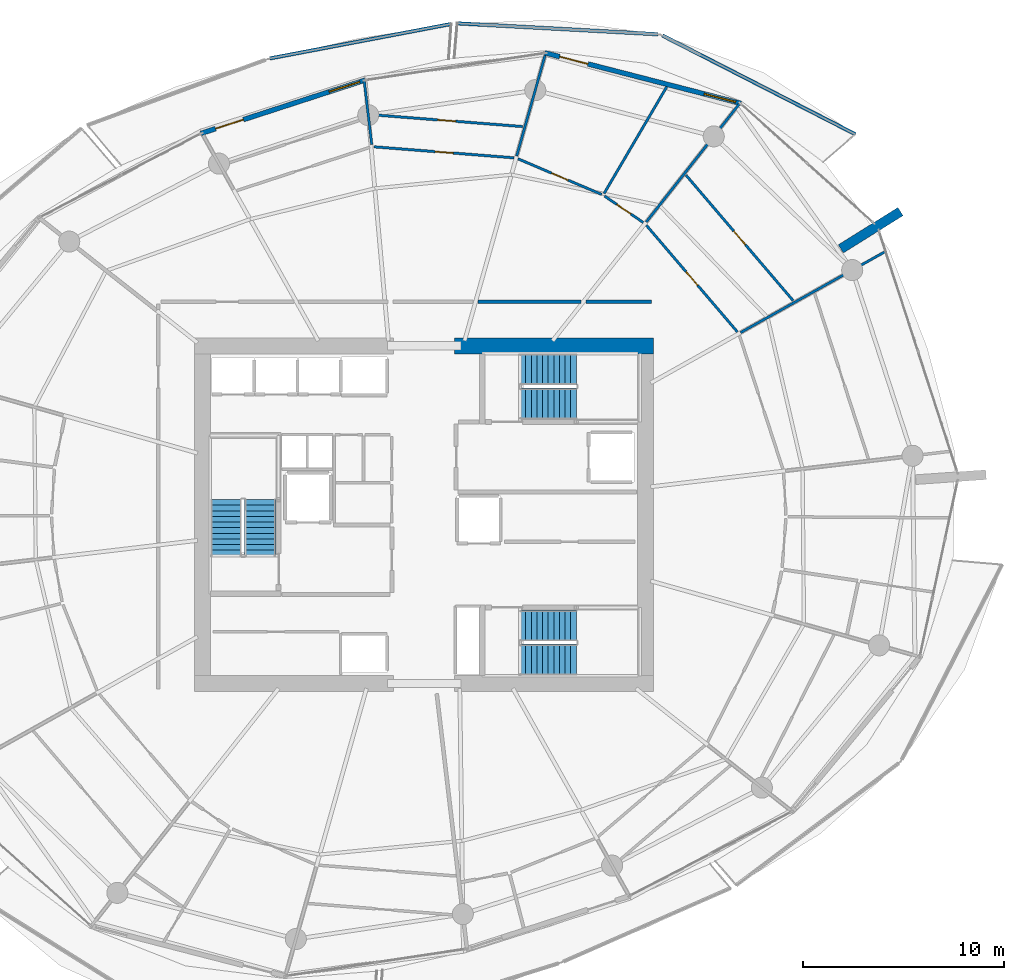
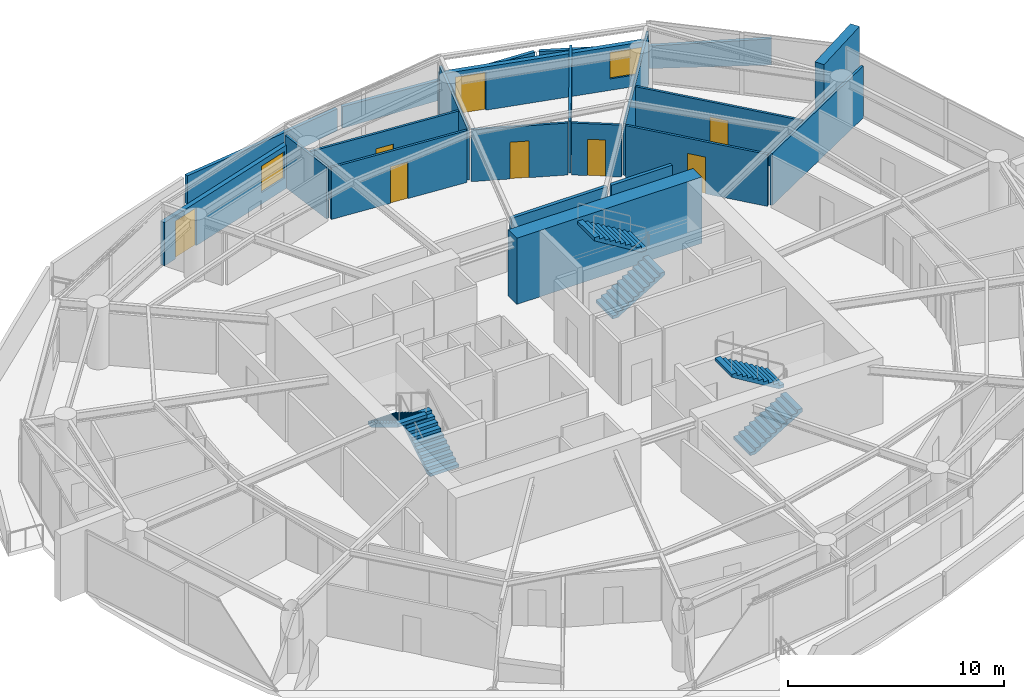
# One storey, part 15 of 20: 20 walls, 8 doors, 6 stair flights, 2 windows, 10 openings, 3 elements without a shape of their own.
"""IFC4 building model written with IfcOpenShell, lengths in metres."""

from ifc_helpers import new_model, si_unit, direction, frame, frame_2d, origin, place, context, subcontext, project, spatial, polyline, rectangle, outline, extrude, material, layer, layer_set, type_object, element, fill, aggregate, save


model = new_model("IFC4")

# Units and contexts
model_context = context("Model", 3, precision=1e-05, world=origin(), true_north=direction((0.0, 1.0)))
body_context = subcontext(model_context, "Body", "Model", "MODEL_VIEW")
ifc_project = project(units=[si_unit("LENGTHUNIT", "METRE"), si_unit("AREAUNIT", "SQUARE_METRE"), si_unit("VOLUMEUNIT", "CUBIC_METRE"), si_unit("PLANEANGLEUNIT", "RADIAN"), si_unit("MASSUNIT", "GRAM", prefix="KILO")], contexts=[model_context])

# Site, building, storey
site_placement = place(None, origin())
site = spatial("IfcSite", under=ifc_project, at=site_placement, CompositionType="ELEMENT")
building_placement = place(site_placement, origin())
building = spatial("IfcBuilding", under=site, at=building_placement, Name="Kazma Halo Residences", CompositionType="ELEMENT")
storey_placement = place(building_placement, frame((0.0, 0.0, 146.550048828125)))
storey = spatial("IfcBuildingStorey", under=building, at=storey_placement, Name="L36", CompositionType="ELEMENT", Elevation=146.550048828125)

# Walls
ifc_material_1 = material(Name="White Concrete C50/60 Balustrade", Category="concrete")
ifc_layer_1 = layer(ifc_material_1, 0.179931640625)
ifc_layer_set_1 = layer_set([ifc_layer_1], Name="White Concrete C50/60 Balustrade")
wall_type_1 = type_object("IfcWallType", Name="WL-BAL-WAVE-180", PredefinedType="PARAPET", material=ifc_layer_set_1)
wall_1_placement = place(storey_placement, frame((69.8896484375, 60.927978515625, 0.0), z_axis=(0.0, 0.0, 1.0), x_axis=(-0.890197806796, 0.455574214345, 0.0)))
element("IfcWall", 1, at=wall_1_placement, inside=storey, type_object=wall_type_1, Name="L36 white wave balustrade wall NE.1", PredefinedType="PARAPET", context=body_context, shape_type="SweptSolid", body=[
    extrude(outline(polyline([(0.0, 0.0), (10.790771484375, 0.0), (10.790771484375, 1.14794921875), (5.395263671875, 1.283935546875), (0.0, 1.48291015625), (0.0, 0.0)])), frame((0.0, 0.08984375, 0.0), z_axis=(0.0, -1.0, 0.0), x_axis=(1.0, 0.0, 0.0)), (0.0, 0.0, 1.0), 0.179931640625),
])
wall_2_placement = place(storey_placement, frame((60.05712890625, 65.9052734375, 0.0), z_axis=(0.0, 0.0, 1.0), x_axis=(-0.998521425171, 0.05435957574, 0.0)))
element("IfcWall", 2, at=wall_2_placement, inside=storey, type_object=wall_type_1, Name="L36 white wave balustrade wall NE.2", PredefinedType="PARAPET", context=body_context, shape_type="SweptSolid", body=[
    extrude(outline(polyline([(0.0, 0.0), (9.99755859375, 0.0), (9.99755859375, 1.223876953125), (4.998779296875, 1.126953125), (0.0, 1.14794921875), (0.0, 0.0)])), frame((0.0, 0.08984375, 0.0), z_axis=(0.0, -1.0, 0.0), x_axis=(1.0, 0.0, 0.0)), (0.0, 0.0, 1.0), 0.179931640625),
])
wall_3_placement = place(storey_placement, frame((49.771728515625, 66.417236328125, 0.0), z_axis=(0.0, 0.0, 1.0), x_axis=(-0.982405045707, -0.186762753697, 0.0)))
element("IfcWall", 3, at=wall_3_placement, inside=storey, type_object=wall_type_1, Name="L36 white wave balustrade wall NNW.1", PredefinedType="PARAPET", context=body_context, shape_type="SweptSolid", body=[
    extrude(outline(polyline([(0.0, 0.0), (9.1845703125, 0.0), (9.184326171875, 1.6318359375), (4.59228515625, 1.41796875), (0.0, 1.23291015625), (0.0, 0.0)])), frame((0.0, 0.08984375, 0.0), z_axis=(0.0, -1.0, 0.0), x_axis=(1.0, 0.0, 0.0)), (0.0, 0.0, 1.0), 0.179931640625),
])
ifc_material_2 = material(Name="Pale Concrete C60/75", Category="concrete")
ifc_layer_2 = layer(ifc_material_2, 0.47998046875)
ifc_layer_set_2 = layer_set([ifc_layer_2], Name="Pale Concrete C60/75")
wall_type_2 = type_object("IfcWallType", Name="WL-BLADE-480", PredefinedType="SOLIDWALL", material=ifc_layer_set_2)
wall_4_placement = place(storey_placement, frame((69.165283203125, 55.2255859375, 0.0), z_axis=(0.0, 0.0, 1.0), x_axis=(0.848053161125, 0.529911158502, 0.0)))
element("IfcWall", 4, at=wall_4_placement, inside=storey, type_object=wall_type_2, Name="L36 pale concrete structural blade fin wall BW-01", PredefinedType="SOLIDWALL", context=body_context, shape_type="SweptSolid", body=[
    extrude(rectangle(XDim=3.5, YDim=0.47998046875, at=frame_2d((1.75, 0.0))), origin(), (0.0, 0.0, 1.0), 3.75),
])
ifc_material_3 = material(Name="Concrete C80/95", Category="concrete")
ifc_layer_3 = layer(ifc_material_3, 0.800048828125)
ifc_layer_set_3 = layer_set([ifc_layer_3], Name="Concrete C80/95")
wall_type_3 = type_object("IfcWallType", Name="WL-CORE-800", PredefinedType="SHEAR", material=ifc_layer_set_3)
wall_5_placement = place(storey_placement, frame((49.949951171875, 50.39990234375, 0.0), z_axis=(0.0, 0.0, 1.0), x_axis=(1.0, 0.0, 0.0)))
element("IfcWall", 5, at=wall_5_placement, inside=storey, type_object=wall_type_3, Name="L36 central core shear wall NE", PredefinedType="SHEAR", context=body_context, shape_type="SweptSolid", body=[
    extrude(rectangle(XDim=9.900146484375, YDim=0.800048828125, at=frame_2d((4.9501953125, 0.0))), origin(), (0.0, 0.0, 1.0), 3.75),
])
ifc_material_4 = material(Name="Acoustic Twin-Stud Gypsum")
ifc_layer_4 = layer(ifc_material_4, 0.179931640625)
ifc_layer_set_4 = layer_set([ifc_layer_4], Name="Acoustic Twin-Stud Gypsum")
wall_type_4 = type_object("IfcWallType", Name="WL-DEM-180", PredefinedType="PARTITIONING", material=ifc_layer_set_4)
wall_6_placement = place(storey_placement, frame((59.72998046875, 52.60009765625, 0.0), z_axis=(0.0, 0.0, 1.0), x_axis=(-1.0, 0.0, 0.0)))
element("IfcWall", 6, at=wall_6_placement, inside=storey, type_object=wall_type_4, Name="L36 Apartment 2 inner wall 0", PredefinedType="PARTITIONING", context=body_context, shape_type="SweptSolid", body=[
    extrude(rectangle(XDim=3.253662109375, YDim=0.179931640625, at=frame_2d((1.626953125, 0.0))), origin(), (0.0, 0.0, 1.0), 2.93994140625),
])
wall_7_placement = place(storey_placement, frame((56.236328125, 52.60009765625, 0.0), z_axis=(0.0, 0.0, 1.0), x_axis=(-1.0, 0.0, 0.0)))
element("IfcWall", 7, at=wall_7_placement, inside=storey, type_object=wall_type_4, Name="L36 Apartment 2 inner wall 1", PredefinedType="PARTITIONING", context=body_context, shape_type="SweptSolid", body=[
    extrude(rectangle(XDim=5.126708984375, YDim=0.179931640625, at=frame_2d((2.5634765625, 0.0))), origin(), (0.0, 0.0, 1.0), 2.93994140625),
])

# Wall, openings, door, window
ifc_material_5 = material(Name="Insulated Pale-Metal Composite Wall")
ifc_layer_5 = layer(ifc_material_5, 0.239990234375)
ifc_layer_set_5 = layer_set([ifc_layer_5], Name="Insulated Pale-Metal Composite Wall")
wall_type_5 = type_object("IfcWallType", Name="WL-EXT-HOST-240", PredefinedType="SOLIDWALL", material=ifc_layer_set_5)
wall_8_placement = place(storey_placement, frame((64.192138671875, 62.4658203125, 0.0), z_axis=(0.0, 0.0, 1.0), x_axis=(-0.968379685126, 0.249481032214, 0.0)))
wall_8 = element("IfcWall", 8, at=wall_8_placement, inside=storey, type_object=wall_type_5, Name="L36 exterior terrace-access wall B02", PredefinedType="SOLIDWALL", context=body_context, shape_type="SweptSolid", body=[
    extrude(rectangle(XDim=10.08154296875, YDim=0.239990234375, at=frame_2d((5.040771484375, 0.0))), origin(), (0.0, 0.0, 1.0), 2.449951171875),
])
opening_1_placement = place(wall_8_placement, frame((7.861572265625, 0.0, 0.0)))
opening_1 = element("IfcOpeningElement", 9, at=opening_1_placement, cuts=wall_8, Name="Opening DTR-1600", PredefinedType="OPENING", context=body_context, shape_type="SweptSolid", body=[
    extrude(rectangle(XDim=1.449951171875, YDim=2.14990234375, at=frame_2d((0.72509765625, 1.074951171875))), frame((0.0, 0.1298828125, 0.0), z_axis=(0.0, -1.0, 0.0), x_axis=(1.0, 0.0, 0.0)), (0.0, 0.0, 1.0), 0.260009765625),
])
opening_2_placement = place(wall_8_placement, frame((0.280029296875, 0.0, 0.64990234375)))
opening_2 = element("IfcOpeningElement", 10, at=opening_2_placement, cuts=wall_8, Name="Opening W-1800", PredefinedType="OPENING", context=body_context, shape_type="SweptSolid", body=[
    extrude(rectangle(XDim=1.60009765625, YDim=1.5, at=frame_2d((0.800048828125, 0.75))), frame((0.0, 0.1298828125, 0.0), z_axis=(0.0, -1.0, 0.0), x_axis=(1.0, 0.0, 0.0)), (0.0, 0.0, 1.0), 0.260009765625),
])
ifc_material_6 = material(Name="Aluminium AW-6063 T6 Double-Glazed Terrace Door", Category="aluminium")
door_type_1 = type_object("IfcDoorType", Name="DR-EXT-TERR-1600", OperationType="NOTDEFINED", PredefinedType="DOOR", material=ifc_material_6)
door_1_placement = place(opening_1_placement, origin())
door_1 = element("IfcDoor", 11, at=door_1_placement, inside=storey, type_object=door_type_1, Name="L36 B02 balcony terrace door", OperationType="DOUBLE_DOOR_SLIDING", OverallHeight=2.14990234375, OverallWidth=1.449951171875, PredefinedType="DOOR", context=body_context, shape_type="SweptSolid", body=[
    extrude(rectangle(XDim=1.449951171875, YDim=2.14990234375, at=frame_2d((0.72509765625, 1.074951171875))), frame((0.0, 0.02490234375, 0.0), z_axis=(0.0, -1.0, 0.0), x_axis=(1.0, 0.0, 0.0)), (0.0, 0.0, 1.0), 0.050048828125),
])
fill(opening_1, door_1)
ifc_material_7 = material(Name="Clear Triple-Silver Low-E Glass in Aluminium AW-6063 T6 Frame", Category="aluminium")
window_type = type_object("IfcWindowType", Name="WIN-RES-1800", PartitioningType="DOUBLE_PANEL_VERTICAL", PredefinedType="WINDOW", material=ifc_material_7)
window_1_placement = place(opening_2_placement, origin())
window_1 = element("IfcWindow", 12, at=window_1_placement, inside=storey, type_object=window_type, Name="L36 B02 apartment window", OverallHeight=1.5, OverallWidth=1.60009765625, PartitioningType="SINGLE_PANEL", PredefinedType="WINDOW", context=body_context, shape_type="SweptSolid", body=[
    extrude(rectangle(XDim=1.60009765625, YDim=1.5, at=frame_2d((0.800048828125, 0.75))), frame((0.0, 0.030029296875, 0.0), z_axis=(0.0, -1.0, 0.0), x_axis=(1.0, 0.0, 0.0)), (0.0, 0.0, 1.0), 0.06005859375),
])
fill(opening_2, window_1)

wall_9_placement = place(storey_placement, frame((45.489990234375, 63.624267578125, 0.0), z_axis=(0.0, 0.0, 1.0), x_axis=(-0.951046390632, -0.309048156224, 0.0)))
wall_9 = element("IfcWall", 13, at=wall_9_placement, inside=storey, type_object=wall_type_5, Name="L36 exterior terrace-access wall B04", PredefinedType="SOLIDWALL", context=body_context, shape_type="SweptSolid", body=[
    extrude(rectangle(XDim=8.590087890625, YDim=0.239990234375, at=frame_2d((4.294921875, 0.0))), origin(), (0.0, 0.0, 1.0), 2.449951171875),
])
opening_3_placement = place(wall_9_placement, frame((6.370361328125, 0.0, 0.0)))
opening_3 = element("IfcOpeningElement", 14, at=opening_3_placement, cuts=wall_9, Name="Opening DTR-1600", PredefinedType="OPENING", context=body_context, shape_type="SweptSolid", body=[
    extrude(rectangle(XDim=1.449951171875, YDim=2.14990234375, at=frame_2d((0.72509765625, 1.074951171875))), frame((0.0, 0.1298828125, 0.0), z_axis=(0.0, -1.0, 0.0), x_axis=(1.0, 0.0, 0.0)), (0.0, 0.0, 1.0), 0.260009765625),
])
opening_4_placement = place(wall_9_placement, frame((0.280029296875, 0.0, 0.64990234375)))
opening_4 = element("IfcOpeningElement", 15, at=opening_4_placement, cuts=wall_9, Name="Opening W-1800", PredefinedType="OPENING", context=body_context, shape_type="SweptSolid", body=[
    extrude(rectangle(XDim=1.60009765625, YDim=1.5, at=frame_2d((0.800048828125, 0.75))), frame((0.0, 0.1298828125, 0.0), z_axis=(0.0, -1.0, 0.0), x_axis=(1.0, 0.0, 0.0)), (0.0, 0.0, 1.0), 0.260009765625),
])
door_2_placement = place(opening_3_placement, origin())
door_2 = element("IfcDoor", 16, at=door_2_placement, inside=storey, type_object=door_type_1, Name="L36 B04 balcony terrace door", OperationType="DOUBLE_DOOR_SLIDING", OverallHeight=2.14990234375, OverallWidth=1.449951171875, PredefinedType="DOOR", context=body_context, shape_type="SweptSolid", body=[
    extrude(rectangle(XDim=1.449951171875, YDim=2.14990234375, at=frame_2d((0.72509765625, 1.074951171875))), frame((0.0, 0.02490234375, 0.0), z_axis=(0.0, -1.0, 0.0), x_axis=(1.0, 0.0, 0.0)), (0.0, 0.0, 1.0), 0.050048828125),
])
fill(opening_3, door_2)
window_2_placement = place(opening_4_placement, origin())
window_2 = element("IfcWindow", 17, at=window_2_placement, inside=storey, type_object=window_type, Name="L36 B04 apartment window", OverallHeight=1.5, OverallWidth=1.60009765625, PartitioningType="SINGLE_PANEL", PredefinedType="WINDOW", context=body_context, shape_type="SweptSolid", body=[
    extrude(rectangle(XDim=1.60009765625, YDim=1.5, at=frame_2d((0.800048828125, 0.75))), frame((0.0, 0.030029296875, 0.0), z_axis=(0.0, -1.0, 0.0), x_axis=(1.0, 0.0, 0.0)), (0.0, 0.0, 1.0), 0.06005859375),
])
fill(opening_4, window_2)

# Wall
ifc_material_8 = material(Name="Gypsum Plasterboard Partition")
ifc_layer_6 = layer(ifc_material_8, 0.125)
ifc_layer_set_6 = layer_set([ifc_layer_6], Name="Gypsum Plasterboard Partition")
wall_type_6 = type_object("IfcWallType", Name="WL-PART-125", PredefinedType="PARTITIONING", material=ifc_layer_set_6)
wall_10_placement = place(storey_placement, frame((64.17529296875, 51.05859375, 0.0), z_axis=(0.0, 0.0, 1.0), x_axis=(0.872491881101, 0.488628608877, 0.0)))
element("IfcWall", 18, at=wall_10_placement, inside=storey, type_object=wall_type_6, Name="L36 Apartment 2 radial partition 0", PredefinedType="PARTITIONING", context=body_context, shape_type="SweptSolid", body=[
    extrude(rectangle(XDim=8.2470703125, YDim=0.125, at=frame_2d((4.12353515625, 0.0))), origin(), (0.0, 0.0, 1.0), 2.93994140625),
])

# Wall, opening, door
wall_11_placement = place(storey_placement, frame((64.0166015625, 51.09326171875, 0.0), z_axis=(0.0, 0.0, 1.0), x_axis=(-0.649447060425, 0.76040680935, 0.0)))
wall_11 = element("IfcWall", 19, at=wall_11_placement, inside=storey, type_object=wall_type_6, Name="L36 Apartment 2 Sky Study hall wall", PredefinedType="PARTITIONING", context=body_context, shape_type="SweptSolid", body=[
    extrude(rectangle(XDim=6.974853515625, YDim=0.125, at=frame_2d((3.4873046875, 0.0))), origin(), (0.0, 0.0, 1.0), 2.93994140625),
])
opening_5_placement = place(wall_11_placement, frame((3.037353515625, 0.0, 0.0)))
opening_5 = element("IfcOpeningElement", 20, at=opening_5_placement, cuts=wall_11, Name="Opening DI-950", PredefinedType="OPENING", context=body_context, shape_type="SweptSolid", body=[
    extrude(rectangle(XDim=0.89990234375, YDim=2.080078125, at=frame_2d((0.449951171875, 1.0400390625))), frame((0.0, 0.072509765625, 0.0), z_axis=(0.0, -1.0, 0.0), x_axis=(1.0, 0.0, 0.0)), (0.0, 0.0, 1.0), 0.14501953125),
])
ifc_material_9 = material(Name="Timber Veneer Flush Leaf", Category="wood")
door_type_2 = type_object("IfcDoorType", Name="DR-INT-950", OperationType="NOTDEFINED", PredefinedType="DOOR", material=ifc_material_9)
door_3_placement = place(opening_5_placement, origin())
door_3 = element("IfcDoor", 21, at=door_3_placement, inside=storey, type_object=door_type_2, Name="L36 Apartment 2 Sky Study door", OperationType="SINGLE_SWING_LEFT", OverallHeight=2.080078125, OverallWidth=0.89990234375, PredefinedType="DOOR", context=body_context, shape_type="SweptSolid", body=[
    extrude(rectangle(XDim=0.89990234375, YDim=2.080078125, at=frame_2d((0.449951171875, 1.0400390625))), frame((0.0, 0.02490234375, 0.0), z_axis=(0.0, -1.0, 0.0), x_axis=(1.0, 0.0, 0.0)), (0.0, 0.0, 1.0), 0.050048828125),
])
fill(opening_5, door_3)

wall_12_placement = place(storey_placement, frame((66.7919921875, 52.647705078125, 0.0), z_axis=(0.0, 0.0, 1.0), x_axis=(-0.649446834215, 0.76040700255, 0.0)))
wall_12 = element("IfcWall", 22, at=wall_12_placement, inside=storey, type_object=wall_type_6, Name="L36 Apartment 2 Gulf Master Bedroom divider wall", PredefinedType="PARTITIONING", context=body_context, shape_type="SweptSolid", body=[
    extrude(rectangle(XDim=8.2158203125, YDim=0.125, at=frame_2d((4.10791015625, 0.0))), origin(), (0.0, 0.0, 1.0), 2.93994140625),
])
opening_6_placement = place(wall_12_placement, frame((3.657958984375, 0.0, 0.0)))
opening_6 = element("IfcOpeningElement", 23, at=opening_6_placement, cuts=wall_12, Name="Opening DI-950", PredefinedType="OPENING", context=body_context, shape_type="SweptSolid", body=[
    extrude(rectangle(XDim=0.89990234375, YDim=2.080078125, at=frame_2d((0.449951171875, 1.0400390625))), frame((0.0, 0.072509765625, 0.0), z_axis=(0.0, -1.0, 0.0), x_axis=(1.0, 0.0, 0.0)), (0.0, 0.0, 1.0), 0.14501953125),
])
door_4_placement = place(opening_6_placement, origin())
door_4 = element("IfcDoor", 24, at=door_4_placement, inside=storey, type_object=door_type_2, Name="L36 Apartment 2 Gulf Master Bedroom door", OperationType="SINGLE_SWING_RIGHT", OverallHeight=2.080078125, OverallWidth=0.89990234375, PredefinedType="DOOR", context=body_context, shape_type="SweptSolid", body=[
    extrude(rectangle(XDim=0.89990234375, YDim=2.080078125, at=frame_2d((0.449951171875, 1.0400390625))), frame((0.0, 0.02490234375, 0.0), z_axis=(0.0, -1.0, 0.0), x_axis=(1.0, 0.0, 0.0)), (0.0, 0.0, 1.0), 0.050048828125),
])
fill(opening_6, door_4)

# Walls
wall_13_placement = place(storey_placement, frame((59.477294921875, 56.55908203125, 0.0), z_axis=(0.0, 0.0, 1.0), x_axis=(0.619110986016, 0.785303499925, 0.0)))
element("IfcWall", 25, at=wall_13_placement, inside=storey, type_object=wall_type_6, Name="L36 Apartment 2 radial partition 1", PredefinedType="PARTITIONING", context=body_context, shape_type="SweptSolid", body=[
    extrude(rectangle(XDim=7.5126953125, YDim=0.125, at=frame_2d((3.75634765625, 0.0))), origin(), (0.0, 0.0, 1.0), 2.93994140625),
])
wall_14_placement = place(storey_placement, frame((57.3818359375, 57.978271484375, 0.0), z_axis=(0.0, 0.0, 1.0), x_axis=(0.506339561396, 0.862334186128, 0.0)))
element("IfcWall", 26, at=wall_14_placement, inside=storey, type_object=wall_type_6, Name="L36 Apartment 2 mid-bay wall 1", PredefinedType="PARTITIONING", context=body_context, shape_type="SweptSolid", body=[
    extrude(rectangle(XDim=6.16259765625, YDim=0.125, at=frame_2d((3.081298828125, 0.0))), origin(), (0.0, 0.0, 1.0), 2.93994140625),
])

# Wall, opening, door
wall_15_placement = place(storey_placement, frame((59.3330078125, 56.536865234375, 0.0), z_axis=(0.0, 0.0, 1.0), x_axis=(-0.825780816813, 0.563991172434, 0.0)))
wall_15 = element("IfcWall", 27, at=wall_15_placement, inside=storey, type_object=wall_type_6, Name="L36 Apartment 2 Primary Wine Pantry Store hall wall", PredefinedType="PARTITIONING", context=body_context, shape_type="SweptSolid", body=[
    extrude(rectangle(XDim=2.337890625, YDim=0.125, at=frame_2d((1.1689453125, 0.0))), origin(), (0.0, 0.0, 1.0), 2.93994140625),
])
opening_7_placement = place(wall_15_placement, frame((0.743896484375, 0.0, 0.0)))
opening_7 = element("IfcOpeningElement", 28, at=opening_7_placement, cuts=wall_15, Name="Opening DB-900", PredefinedType="OPENING", context=body_context, shape_type="SweptSolid", body=[
    extrude(rectangle(XDim=0.85009765625, YDim=2.06005859375, at=frame_2d((0.425048828125, 1.030029296875))), frame((0.0, 0.072509765625, 0.0), z_axis=(0.0, -1.0, 0.0), x_axis=(1.0, 0.0, 0.0)), (0.0, 0.0, 1.0), 0.14501953125),
])
ifc_material_10 = material(Name="Moisture-Sealed Timber Leaf", Category="wood")
door_type_3 = type_object("IfcDoorType", Name="DR-BTH-900", OperationType="NOTDEFINED", PredefinedType="DOOR", material=ifc_material_10)
door_5_placement = place(opening_7_placement, origin())
door_5 = element("IfcDoor", 29, at=door_5_placement, inside=storey, type_object=door_type_3, Name="L36 Apartment 2 Primary Wine Pantry Store door", OperationType="SINGLE_SWING_RIGHT", OverallHeight=2.06005859375, OverallWidth=0.85009765625, PredefinedType="DOOR", context=body_context, shape_type="SweptSolid", body=[
    extrude(rectangle(XDim=0.85009765625, YDim=2.06005859375, at=frame_2d((0.425048828125, 1.030029296875))), frame((0.0, 0.02490234375, 0.0), z_axis=(0.0, -1.0, 0.0), x_axis=(1.0, 0.0, 0.0)), (0.0, 0.0, 1.0), 0.050048828125),
])
fill(opening_7, door_5)

wall_16_placement = place(storey_placement, frame((57.2626953125, 57.931884765625, 0.0), z_axis=(0.0, 0.0, 1.0), x_axis=(-0.919910192906, 0.392129107549, 0.0)))
wall_16 = element("IfcWall", 30, at=wall_16_placement, inside=storey, type_object=wall_type_6, Name="L36 Apartment 2 Secondary Formal Dining Room hall wall", PredefinedType="PARTITIONING", context=body_context, shape_type="SweptSolid", body=[
    extrude(rectangle(XDim=4.528076171875, YDim=0.125, at=frame_2d((2.26416015625, 0.0))), origin(), (0.0, 0.0, 1.0), 2.93994140625),
])
opening_8_placement = place(wall_16_placement, frame((1.814208984375, 0.0, 0.0)))
opening_8 = element("IfcOpeningElement", 31, at=opening_8_placement, cuts=wall_16, Name="Opening DI-950", PredefinedType="OPENING", context=body_context, shape_type="SweptSolid", body=[
    extrude(rectangle(XDim=0.89990234375, YDim=2.080078125, at=frame_2d((0.449951171875, 1.0400390625))), frame((0.0, 0.072509765625, 0.0), z_axis=(0.0, -1.0, 0.0), x_axis=(1.0, 0.0, 0.0)), (0.0, 0.0, 1.0), 0.14501953125),
])
door_6_placement = place(opening_8_placement, origin())
door_6 = element("IfcDoor", 32, at=door_6_placement, inside=storey, type_object=door_type_2, Name="L36 Apartment 2 Secondary Formal Dining Room door", OperationType="SINGLE_SWING_LEFT", OverallHeight=2.080078125, OverallWidth=0.89990234375, PredefinedType="DOOR", context=body_context, shape_type="SweptSolid", body=[
    extrude(rectangle(XDim=0.89990234375, YDim=2.080078125, at=frame_2d((0.449951171875, 1.0400390625))), frame((0.0, 0.02490234375, 0.0), z_axis=(0.0, -1.0, 0.0), x_axis=(1.0, 0.0, 0.0)), (0.0, 0.0, 1.0), 0.050048828125),
])
fill(opening_8, door_6)

# Wall
wall_17_placement = place(storey_placement, frame((53.0322265625, 59.843017578125, 0.0), z_axis=(0.0, 0.0, 1.0), x_axis=(0.271445669276, 0.962453764412, 0.0)))
element("IfcWall", 33, at=wall_17_placement, inside=storey, type_object=wall_type_6, Name="L36 Apartment 2 radial partition 2", PredefinedType="PARTITIONING", context=body_context, shape_type="SweptSolid", body=[
    extrude(rectangle(XDim=5.200439453125, YDim=0.125, at=frame_2d((2.60009765625, 0.0))), origin(), (0.0, 0.0, 1.0), 2.93994140625),
])

# Wall, opening, door
wall_18_placement = place(storey_placement, frame((52.8955078125, 59.75537109375, 0.0), z_axis=(0.0, 0.0, 1.0), x_axis=(-0.996918496177, 0.078444324085, 0.0)))
wall_18 = element("IfcWall", 34, at=wall_18_placement, inside=storey, type_object=wall_type_6, Name="L36 Apartment 2 East Study hall wall", PredefinedType="PARTITIONING", context=body_context, shape_type="SweptSolid", body=[
    extrude(rectangle(XDim=6.974609375, YDim=0.125, at=frame_2d((3.4873046875, 0.0))), origin(), (0.0, 0.0, 1.0), 2.93994140625),
])
opening_9_placement = place(wall_18_placement, frame((3.037353515625, 0.0, 0.0)))
opening_9 = element("IfcOpeningElement", 35, at=opening_9_placement, cuts=wall_18, Name="Opening DI-950", PredefinedType="OPENING", context=body_context, shape_type="SweptSolid", body=[
    extrude(rectangle(XDim=0.89990234375, YDim=2.080078125, at=frame_2d((0.449951171875, 1.0400390625))), frame((0.0, 0.072509765625, 0.0), z_axis=(0.0, -1.0, 0.0), x_axis=(1.0, 0.0, 0.0)), (0.0, 0.0, 1.0), 0.14501953125),
])
door_7_placement = place(opening_9_placement, origin())
door_7 = element("IfcDoor", 36, at=door_7_placement, inside=storey, type_object=door_type_2, Name="L36 Apartment 2 East Study door", OperationType="SINGLE_SWING_LEFT", OverallHeight=2.080078125, OverallWidth=0.89990234375, PredefinedType="DOOR", context=body_context, shape_type="SweptSolid", body=[
    extrude(rectangle(XDim=0.89990234375, YDim=2.080078125, at=frame_2d((0.449951171875, 1.0400390625))), frame((0.0, 0.02490234375, 0.0), z_axis=(0.0, -1.0, 0.0), x_axis=(1.0, 0.0, 0.0)), (0.0, 0.0, 1.0), 0.050048828125),
])
fill(opening_9, door_7)

wall_19_placement = place(storey_placement, frame((53.333740234375, 61.309814453125, 0.0), z_axis=(0.0, 0.0, 1.0), x_axis=(-0.996916945499, 0.078464028559, 0.0)))
wall_19 = element("IfcWall", 37, at=wall_19_placement, inside=storey, type_object=wall_type_6, Name="L36 Apartment 2 West Bedroom divider wall", PredefinedType="PARTITIONING", context=body_context, shape_type="SweptSolid", body=[
    extrude(rectangle(XDim=7.6044921875, YDim=0.125, at=frame_2d((3.80224609375, 0.0))), origin(), (0.0, 0.0, 1.0), 2.93994140625),
])
opening_10_placement = place(wall_19_placement, frame((3.352294921875, 0.0, 0.0)))
opening_10 = element("IfcOpeningElement", 38, at=opening_10_placement, cuts=wall_19, Name="Opening DI-950", PredefinedType="OPENING", context=body_context, shape_type="SweptSolid", body=[
    extrude(rectangle(XDim=0.89990234375, YDim=2.080078125, at=frame_2d((0.449951171875, 1.0400390625))), frame((0.0, 0.072509765625, 0.0), z_axis=(0.0, -1.0, 0.0), x_axis=(1.0, 0.0, 0.0)), (0.0, 0.0, 1.0), 0.14501953125),
])
door_8_placement = place(opening_10_placement, origin())
door_8 = element("IfcDoor", 39, at=door_8_placement, inside=storey, type_object=door_type_2, Name="L36 Apartment 2 West Bedroom door", OperationType="SINGLE_SWING_RIGHT", OverallHeight=2.080078125, OverallWidth=0.89990234375, PredefinedType="DOOR", context=body_context, shape_type="SweptSolid", body=[
    extrude(rectangle(XDim=0.89990234375, YDim=2.080078125, at=frame_2d((0.449951171875, 1.0400390625))), frame((0.0, 0.02490234375, 0.0), z_axis=(0.0, -1.0, 0.0), x_axis=(1.0, 0.0, 0.0)), (0.0, 0.0, 1.0), 0.050048828125),
])
fill(opening_10, door_8)

# Wall
wall_20_placement = place(storey_placement, frame((45.82080078125, 60.410400390625, 0.0), z_axis=(0.0, 0.0, 1.0), x_axis=(-0.117497237937, 0.993073209324, 0.0)))
element("IfcWall", 40, at=wall_20_placement, inside=storey, type_object=wall_type_6, Name="L36 Apartment 2 radial partition 3", PredefinedType="PARTITIONING", context=body_context, shape_type="SweptSolid", body=[
    extrude(rectangle(XDim=3.19580078125, YDim=0.125, at=frame_2d((1.597900390625, 0.0))), origin(), (0.0, 0.0, 1.0), 2.93994140625),
])

# Stair, stair flights
ifc_material_11 = material(Name="Concrete C50/60", Category="concrete")
stair_type = type_object("IfcStairType", Name="STR-RES1", PredefinedType="HALF_TURN_STAIR", material=ifc_material_11)
stair_1_placement = place(storey_placement, origin())
stair_1 = element("IfcStair", 41, at=stair_1_placement, inside=storey, type_object=stair_type, Name="L36 Core exit stair ST-01", PredefinedType="HALF_TURN_STAIR")
stair_flight_type = type_object("IfcStairFlightType", Name="STR-RES1-FLT", PredefinedType="STRAIGHT", material=ifc_material_11)
stair_flight_1_placement = place(storey_placement, frame((40.27490234375, 39.949951171875, 0.0), z_axis=(0.0, 0.0, 1.0), x_axis=(0.0, 1.0, 0.0)))
stair_flight_1 = element("IfcStairFlight", 42, at=stair_flight_1_placement, type_object=stair_flight_type, Name="ST-01 flight 1", NumberOfRisers=11, NumberOfTreads=10, PredefinedType="STRAIGHT", RiserHeight=0.170454545, TreadLength=0.28, context=body_context, shape_type="SweptSolid", body=[
    extrude(outline(polyline([(0.0, 0.0), (0.0, 0.17041015625), (0.280029296875, 0.17041015625), (0.280029296875, 0.3408203125), (0.56005859375, 0.3408203125), (0.56005859375, 0.511474609375), (0.840087890625, 0.511474609375), (0.840087890625, 0.681884765625), (1.1201171875, 0.681884765625), (1.1201171875, 0.852294921875), (1.39990234375, 0.852294921875), (1.39990234375, 1.022705078125), (1.679931640625, 1.022705078125), (1.679931640625, 1.193115234375), (1.9599609375, 1.193115234375), (1.9599609375, 1.363525390625), (2.239990234375, 1.363525390625), (2.239990234375, 1.5341796875), (2.52001953125, 1.5341796875), (2.52001953125, 1.70458984375), (2.800048828125, 1.70458984375), (2.800048828125, 1.875), (2.800048828125, 1.529052734375), (0.288330078125, 0.0), (0.0, 0.0)])), frame((0.0, 0.77490234375, 0.0), z_axis=(0.0, -1.0, 0.0), x_axis=(1.0, 0.0, 0.0)), (0.0, 0.0, 1.0), 1.550048828125),
])
stair_flight_2_placement = place(storey_placement, frame((38.574951171875, 42.75, 1.875), z_axis=(0.0, 0.0, 1.0), x_axis=(0.0, -1.0, 0.0)))
stair_flight_2 = element("IfcStairFlight", 43, at=stair_flight_2_placement, type_object=stair_flight_type, Name="ST-01 flight 2", NumberOfRisers=11, NumberOfTreads=10, PredefinedType="STRAIGHT", RiserHeight=0.170454545, TreadLength=0.28, context=body_context, shape_type="SweptSolid", body=[
    extrude(outline(polyline([(0.0, 0.0), (0.0, 0.17041015625), (0.280029296875, 0.17041015625), (0.280029296875, 0.3408203125), (0.56005859375, 0.3408203125), (0.56005859375, 0.511474609375), (0.840087890625, 0.511474609375), (0.840087890625, 0.681884765625), (1.1201171875, 0.681884765625), (1.1201171875, 0.852294921875), (1.39990234375, 0.852294921875), (1.39990234375, 1.022705078125), (1.679931640625, 1.022705078125), (1.679931640625, 1.193115234375), (1.9599609375, 1.193115234375), (1.9599609375, 1.363525390625), (2.239990234375, 1.363525390625), (2.239990234375, 1.5341796875), (2.52001953125, 1.5341796875), (2.52001953125, 1.70458984375), (2.800048828125, 1.70458984375), (2.800048828125, 1.875), (2.800048828125, 1.529052734375), (0.288330078125, 0.0), (0.0, 0.0)])), frame((0.0, 0.77490234375, 0.0), z_axis=(0.0, -1.0, 0.0), x_axis=(1.0, 0.0, 0.0)), (0.0, 0.0, 1.0), 1.550048828125),
])
aggregate(stair_1, [stair_flight_1, stair_flight_2])

stair_2_placement = place(storey_placement, origin())
stair_2 = element("IfcStair", 44, at=stair_2_placement, inside=storey, type_object=stair_type, Name="L36 Core exit stair ST-02", PredefinedType="HALF_TURN_STAIR")
stair_flight_3_placement = place(storey_placement, frame((53.199951171875, 47.52490234375, 0.0), z_axis=(0.0, 0.0, 1.0), x_axis=(1.0, 0.0, 0.0)))
stair_flight_3 = element("IfcStairFlight", 45, at=stair_flight_3_placement, type_object=stair_flight_type, Name="ST-02 flight 1", NumberOfRisers=11, NumberOfTreads=10, PredefinedType="STRAIGHT", RiserHeight=0.170454545, TreadLength=0.28, context=body_context, shape_type="SweptSolid", body=[
    extrude(outline(polyline([(0.0, 0.0), (0.0, 0.17041015625), (0.280029296875, 0.17041015625), (0.280029296875, 0.3408203125), (0.56005859375, 0.3408203125), (0.56005859375, 0.511474609375), (0.840087890625, 0.511474609375), (0.840087890625, 0.681884765625), (1.1201171875, 0.681884765625), (1.1201171875, 0.852294921875), (1.39990234375, 0.852294921875), (1.39990234375, 1.022705078125), (1.679931640625, 1.022705078125), (1.679931640625, 1.193115234375), (1.9599609375, 1.193115234375), (1.9599609375, 1.363525390625), (2.239990234375, 1.363525390625), (2.239990234375, 1.5341796875), (2.52001953125, 1.5341796875), (2.52001953125, 1.70458984375), (2.800048828125, 1.70458984375), (2.800048828125, 1.875), (2.800048828125, 1.529052734375), (0.288330078125, 0.0), (0.0, 0.0)])), frame((0.0, 0.77490234375, 0.0), z_axis=(0.0, -1.0, 0.0), x_axis=(1.0, 0.0, 0.0)), (0.0, 0.0, 1.0), 1.550048828125),
])
stair_flight_4_placement = place(storey_placement, frame((56.0, 49.22509765625, 1.875), z_axis=(0.0, 0.0, 1.0), x_axis=(-1.0, 0.0, 0.0)))
stair_flight_4 = element("IfcStairFlight", 46, at=stair_flight_4_placement, type_object=stair_flight_type, Name="ST-02 flight 2", NumberOfRisers=11, NumberOfTreads=10, PredefinedType="STRAIGHT", RiserHeight=0.170454545, TreadLength=0.28, context=body_context, shape_type="SweptSolid", body=[
    extrude(outline(polyline([(0.0, 0.0), (0.0, 0.17041015625), (0.280029296875, 0.17041015625), (0.280029296875, 0.3408203125), (0.56005859375, 0.3408203125), (0.56005859375, 0.511474609375), (0.840087890625, 0.511474609375), (0.840087890625, 0.681884765625), (1.1201171875, 0.681884765625), (1.1201171875, 0.852294921875), (1.39990234375, 0.852294921875), (1.39990234375, 1.022705078125), (1.679931640625, 1.022705078125), (1.679931640625, 1.193115234375), (1.9599609375, 1.193115234375), (1.9599609375, 1.363525390625), (2.239990234375, 1.363525390625), (2.239990234375, 1.5341796875), (2.52001953125, 1.5341796875), (2.52001953125, 1.70458984375), (2.800048828125, 1.70458984375), (2.800048828125, 1.875), (2.800048828125, 1.529052734375), (0.288330078125, 0.0), (0.0, 0.0)])), frame((0.0, 0.77490234375, 0.0), z_axis=(0.0, -1.0, 0.0), x_axis=(1.0, 0.0, 0.0)), (0.0, 0.0, 1.0), 1.550048828125),
])
aggregate(stair_2, [stair_flight_3, stair_flight_4])

stair_3_placement = place(storey_placement, origin())
stair_3 = element("IfcStair", 47, at=stair_3_placement, inside=storey, type_object=stair_type, Name="L36 Core exit stair ST-03", PredefinedType="HALF_TURN_STAIR")
stair_flight_5_placement = place(storey_placement, frame((53.199951171875, 34.77490234375, 0.0), z_axis=(0.0, 0.0, 1.0), x_axis=(1.0, 0.0, 0.0)))
stair_flight_5 = element("IfcStairFlight", 48, at=stair_flight_5_placement, type_object=stair_flight_type, Name="ST-03 flight 1", NumberOfRisers=11, NumberOfTreads=10, PredefinedType="STRAIGHT", RiserHeight=0.170454545, TreadLength=0.28, context=body_context, shape_type="SweptSolid", body=[
    extrude(outline(polyline([(0.0, 0.0), (0.0, 0.17041015625), (0.280029296875, 0.17041015625), (0.280029296875, 0.3408203125), (0.56005859375, 0.3408203125), (0.56005859375, 0.511474609375), (0.840087890625, 0.511474609375), (0.840087890625, 0.681884765625), (1.1201171875, 0.681884765625), (1.1201171875, 0.852294921875), (1.39990234375, 0.852294921875), (1.39990234375, 1.022705078125), (1.679931640625, 1.022705078125), (1.679931640625, 1.193115234375), (1.9599609375, 1.193115234375), (1.9599609375, 1.363525390625), (2.239990234375, 1.363525390625), (2.239990234375, 1.5341796875), (2.52001953125, 1.5341796875), (2.52001953125, 1.70458984375), (2.800048828125, 1.70458984375), (2.800048828125, 1.875), (2.800048828125, 1.529052734375), (0.288330078125, 0.0), (0.0, 0.0)])), frame((0.0, 0.77490234375, 0.0), z_axis=(0.0, -1.0, 0.0), x_axis=(1.0, 0.0, 0.0)), (0.0, 0.0, 1.0), 1.550048828125),
])
stair_flight_6_placement = place(storey_placement, frame((56.0, 36.47509765625, 1.875), z_axis=(0.0, 0.0, 1.0), x_axis=(-1.0, 0.0, 0.0)))
stair_flight_6 = element("IfcStairFlight", 49, at=stair_flight_6_placement, type_object=stair_flight_type, Name="ST-03 flight 2", NumberOfRisers=11, NumberOfTreads=10, PredefinedType="STRAIGHT", RiserHeight=0.170454545, TreadLength=0.28, context=body_context, shape_type="SweptSolid", body=[
    extrude(outline(polyline([(0.0, 0.0), (0.0, 0.17041015625), (0.280029296875, 0.17041015625), (0.280029296875, 0.3408203125), (0.56005859375, 0.3408203125), (0.56005859375, 0.511474609375), (0.840087890625, 0.511474609375), (0.840087890625, 0.681884765625), (1.1201171875, 0.681884765625), (1.1201171875, 0.852294921875), (1.39990234375, 0.852294921875), (1.39990234375, 1.022705078125), (1.679931640625, 1.022705078125), (1.679931640625, 1.193115234375), (1.9599609375, 1.193115234375), (1.9599609375, 1.363525390625), (2.239990234375, 1.363525390625), (2.239990234375, 1.5341796875), (2.52001953125, 1.5341796875), (2.52001953125, 1.70458984375), (2.800048828125, 1.70458984375), (2.800048828125, 1.875), (2.800048828125, 1.529052734375), (0.288330078125, 0.0), (0.0, 0.0)])), frame((0.0, 0.77490234375, 0.0), z_axis=(0.0, -1.0, 0.0), x_axis=(1.0, 0.0, 0.0)), (0.0, 0.0, 1.0), 1.550048828125),
])
aggregate(stair_3, [stair_flight_5, stair_flight_6])

save(model, "model.ifc")
